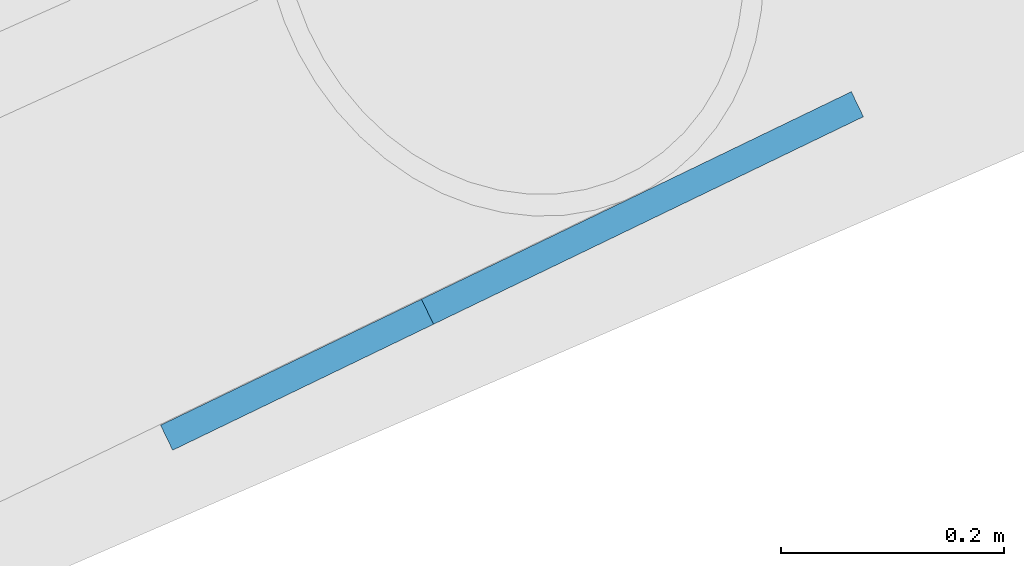
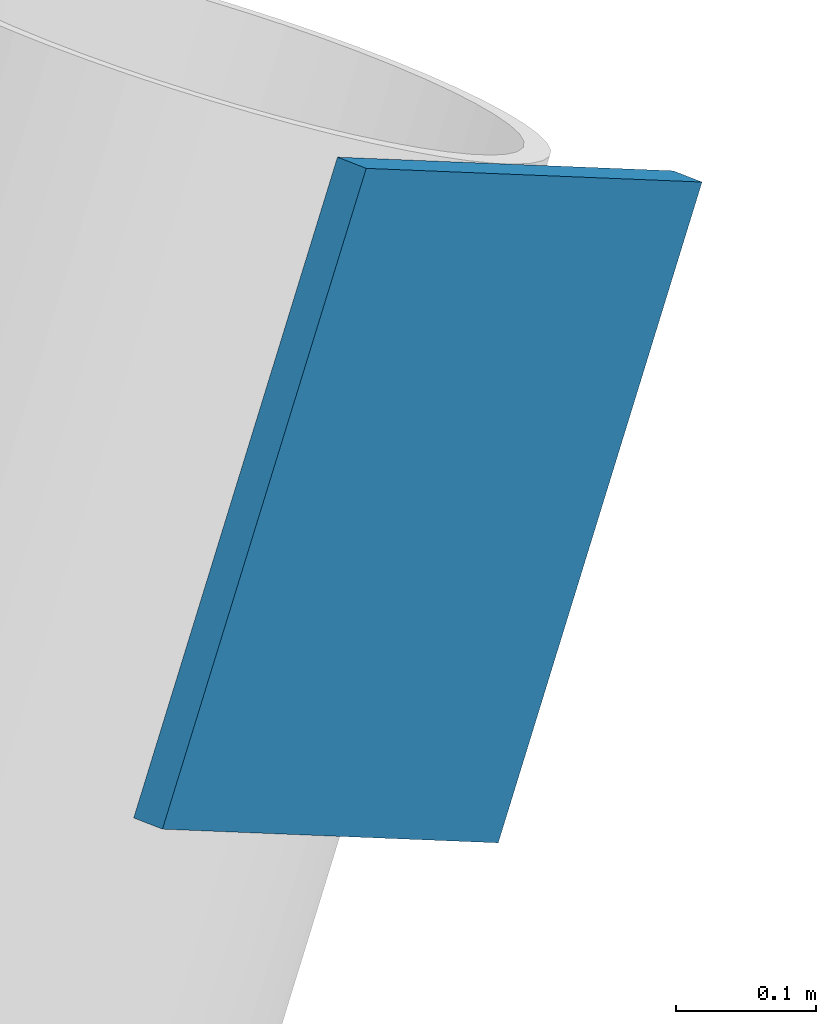
# One storey, part 28 of 36: 1 discrete accessory.
"""IFC4 building model written with IfcOpenShell, lengths in metres."""

from ifc_helpers import new_model, si_unit, direction, frame, origin, origin_2d, place, context, subcontext, project, spatial, rectangle, extrude, material, material_profile, profile_set, type_object, element, save


model = new_model("IFC4")

# Units and contexts
model_context = context("Model", 3, precision=1e-05, world=origin(), true_north=direction((0.0, 1.0)))
body_context = subcontext(model_context, "Body", "Model", "MODEL_VIEW")
ifc_project = project(units=[si_unit("LENGTHUNIT", "METRE"), si_unit("AREAUNIT", "SQUARE_METRE"), si_unit("VOLUMEUNIT", "CUBIC_METRE"), si_unit("PLANEANGLEUNIT", "RADIAN"), si_unit("MASSUNIT", "GRAM", prefix="KILO")], contexts=[model_context])

# Site, building, storey
site_placement = place(None, origin())
site = spatial("IfcSite", under=ifc_project, at=site_placement, CompositionType="ELEMENT")
building_placement = place(site_placement, origin())
building = spatial("IfcBuilding", under=site, at=building_placement, Name="Tarsis Ring Headquarters", CompositionType="ELEMENT")
storey_placement = place(building_placement, frame((0.0, 0.0, 386.0)))
storey = spatial("IfcBuildingStorey", under=building, at=storey_placement, Name="L91", CompositionType="ELEMENT", Elevation=386.0)

# Discrete accessory
ifc_material = material(Name="Structural steel S355", Category="steel")
ifc_material_profile = material_profile(ifc_material, rectangle(XDim=0.02490234375, YDim=0.5, at=origin_2d()), Name="PL 25x500")
ifc_profile_set = profile_set([ifc_material_profile], Name="Structural steel S355")
discrete_accessory_type = type_object("IfcDiscreteAccessoryType", Name="Gusset plate Exo brace 25", PredefinedType="BRACKET", material=ifc_profile_set)
discrete_accessory_placement = place(storey_placement, frame((-6.607421875, 28.019775390625, 8.39990234375), z_axis=(-0.467230018326, -0.225559319192, -0.854879584211), x_axis=(0.434749065831, -0.900551636365, 0.0)))
element("IfcDiscreteAccessory", 1, at=discrete_accessory_placement, inside=storey, type_object=discrete_accessory_type, Name="Gusset plate GP5", PredefinedType="BRACKET", context=body_context, shape_type="SweptSolid", body=[
    extrude(rectangle(XDim=0.02490234375, YDim=0.5, at=origin_2d()), origin(), (0.0, 0.0, 1.0), 0.5),
])

save(model, "model.ifc")
